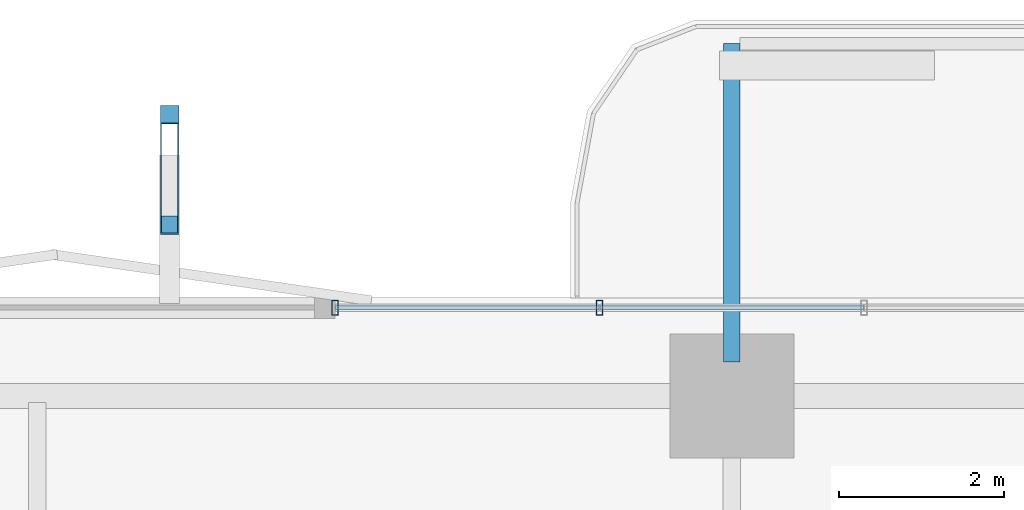
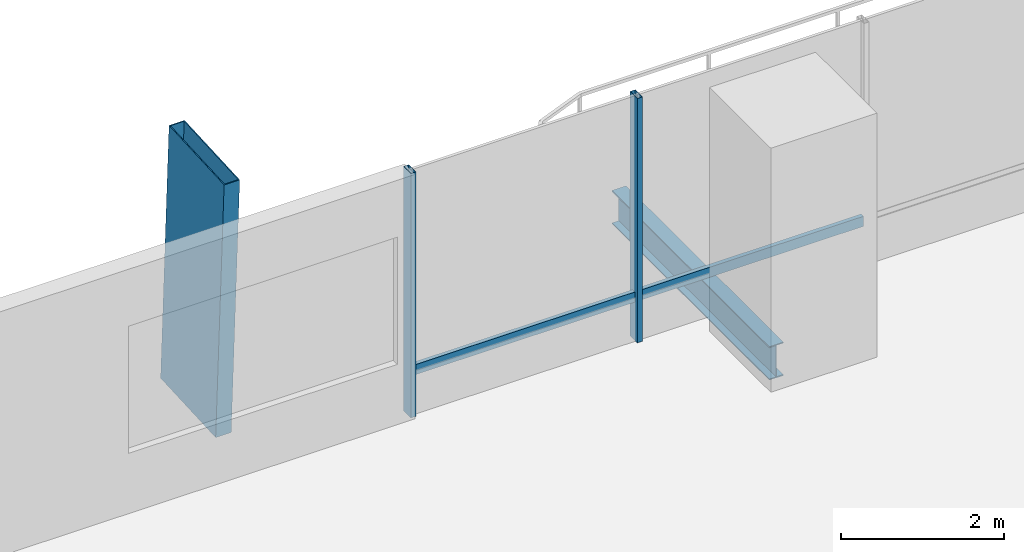
# One storey, part 11 of 23: 5 members, 1 beam, 1 element without a shape of its own.
"""IFC4 building model written with IfcOpenShell, lengths in metres."""

from ifc_helpers import new_model, si_unit, direction, frame, origin, origin_2d, place, context, subcontext, project, spatial, hollow_rectangle, i_section, extrude, material, layer, layer_set, material_profile, profile_set, type_object, element, aggregate, save


model = new_model("IFC4")

# Units and contexts
model_context = context("Model", 3, precision=1e-05, world=origin(), true_north=direction((0.0, 1.0)))
body_context = subcontext(model_context, "Body", "Model", "MODEL_VIEW")
ifc_project = project(units=[si_unit("LENGTHUNIT", "METRE"), si_unit("AREAUNIT", "SQUARE_METRE"), si_unit("VOLUMEUNIT", "CUBIC_METRE"), si_unit("PLANEANGLEUNIT", "RADIAN"), si_unit("MASSUNIT", "GRAM", prefix="KILO")], contexts=[model_context])

# Site, building, storey
site_placement = place(None, origin())
site = spatial("IfcSite", under=ifc_project, at=site_placement, CompositionType="ELEMENT")
building_placement = place(site_placement, origin())
building = spatial("IfcBuilding", under=site, at=building_placement, Name="Belovzor Exchange Tower", CompositionType="ELEMENT")
storey_placement = place(building_placement, frame((0.0, 0.0, 65.10009765625)))
storey = spatial("IfcBuildingStorey", under=building, at=storey_placement, Name="L15", CompositionType="ELEMENT", Elevation=65.10009765625)

# Member
ifc_material_1 = material(Name="Extruded Architectural Terracotta on Steel S355 Carrier", Category="masonry")
ifc_material_profile_1 = material_profile(ifc_material_1, hollow_rectangle(XDim=0.219970703125, YDim=1.35009765625, WallThickness=0.013916015625, at=origin_2d()))
ifc_profile_set_1 = profile_set([ifc_material_profile_1], Name="Extruded Architectural Terracotta on Steel S355 Carrier")
member_type_1 = type_object("IfcMemberType", Name="Base Arc Sweeping Terracotta Pylon Fin 1450", PredefinedType="USERDEFINED", material=ifc_profile_set_1)
member_1_placement = place(storey_placement, frame((22.0, 58.339111328125, -0.25), z_axis=(0.0, -0.053011620344, 0.998593895489), x_axis=(1.0, 0.0, 0.0)))
element("IfcMember", 1, at=member_1_placement, inside=storey, type_object=member_type_1, Name="FIN-TC145 Terracotta Facade Fin L15 N2", ObjectType="FIN", PredefinedType="USERDEFINED", context=body_context, shape_type="SweptSolid", body=[
    extrude(hollow_rectangle(XDim=0.219970703125, YDim=1.35009765625, WallThickness=0.013916015625, at=origin_2d()), origin(), (0.0, 0.0, 1.0), 3.9052734375),
])

# Beam
ifc_material_2 = material(Name="Steel S355", Category="steel")
ifc_material_profile_2 = material_profile(ifc_material_2, i_section(OverallWidth=0.199951171875, OverallDepth=0.5, WebThickness=0.01025390625, FlangeThickness=0.01611328125, at=origin_2d()))
ifc_profile_set_2 = profile_set([ifc_material_profile_2], Name="Steel S355")
beam_type = type_object("IfcBeamType", Name="Planted Balcony Cantilever Beam IPE 500", PredefinedType="BEAM", material=ifc_profile_set_2)
beam_placement = place(storey_placement, frame((28.800048828125, 55.9130859375, -0.5), z_axis=(0.0, 1.0, 0.0), x_axis=(-1.0, 0.0, 0.0)))
element("IfcBeam", 2, at=beam_placement, inside=storey, type_object=beam_type, Name="BC-500 Planted Balcony Cantilever Beam IPE 500", PredefinedType="BEAM", context=body_context, shape_type="SweptSolid", body=[
    extrude(i_section(OverallWidth=0.199951171875, OverallDepth=0.5, WebThickness=0.01025390625, FlangeThickness=0.01611328125, at=origin_2d()), origin(), (0.0, 0.0, 1.0), 3.849853515625),
])

# Curtain wall, members
ifc_material_3 = material(Name="Anodised Aluminium Framing", Category="aluminium")
ifc_layer = layer(ifc_material_3, 0.179931640625)
ifc_layer_set = layer_set([ifc_layer], Name="Anodised Aluminium Framing")
curtain_wall_type = type_object("IfcCurtainWallType", Name="Recessed Loggia Low-Iron Triple-Glazed Curtain Wall", PredefinedType="NOTDEFINED", material=ifc_layer_set)
curtain_wall_placement = place(storey_placement, origin())
curtain_wall = element("IfcCurtainWall", 3, at=curtain_wall_placement, inside=storey, type_object=curtain_wall_type, Name="CW3 Recessed Loggia Low-Iron Triple-Glazed Curtain Wall L15", PredefinedType="NOTDEFINED")
ifc_material_4 = material(Name="Steel S355", Category="steel")
ifc_material_profile_3 = material_profile(ifc_material_4, hollow_rectangle(XDim=0.074951171875, YDim=0.179931640625, WallThickness=0.0048828125, at=origin_2d()))
ifc_profile_set_3 = profile_set([ifc_material_profile_3], Name="Steel S355")
member_type_2 = type_object("IfcMemberType", Name="Thermally Broken Curtain Wall Mullion 180x75", PredefinedType="MULLION", material=ifc_profile_set_3)
member_2_placement = place(storey_placement, frame((24.0, 56.570068359375, 0.0), z_axis=(0.0, 0.0, 1.0), x_axis=(1.0, 0.0, 0.0)))
member_2 = element("IfcMember", 4, at=member_2_placement, type_object=member_type_2, Name="CW-M180 Curtain Wall Mullion 1", PredefinedType="MULLION", context=body_context, shape_type="SweptSolid", body=[
    extrude(hollow_rectangle(XDim=0.074951171875, YDim=0.179931640625, WallThickness=0.0048828125, at=origin_2d()), origin(), (0.0, 0.0, 1.0), 3.64990234375),
])
member_3_placement = place(storey_placement, frame((27.199951171875, 56.570068359375, 0.0), z_axis=(0.0, 0.0, 1.0), x_axis=(1.0, 0.0, 0.0)))
member_3 = element("IfcMember", 5, at=member_3_placement, type_object=member_type_2, Name="CW-M180 Curtain Wall Mullion 2", PredefinedType="MULLION", context=body_context, shape_type="SweptSolid", body=[
    extrude(hollow_rectangle(XDim=0.074951171875, YDim=0.179931640625, WallThickness=0.0048828125, at=origin_2d()), origin(), (0.0, 0.0, 1.0), 3.64990234375),
])
ifc_material_5 = material(Name="Steel S355", Category="steel")
ifc_material_profile_4 = material_profile(ifc_material_5, hollow_rectangle(XDim=0.06005859375, YDim=0.14990234375, WallThickness=0.00390625, at=origin_2d()))
ifc_profile_set_4 = profile_set([ifc_material_profile_4], Name="Steel S355")
member_type_3 = type_object("IfcMemberType", Name="Thermally Broken Curtain Wall Transom 150x60", PredefinedType="USERDEFINED", material=ifc_profile_set_4)
member_4_placement = place(storey_placement, frame((24.008056640625, 56.570068359375, 0.64990234375), z_axis=(1.0, 0.0, 0.0), x_axis=(0.0, 1.0, 0.0)))
member_4 = element("IfcMember", 6, at=member_4_placement, type_object=member_type_3, Name="CW-T150 Curtain Wall Transom 1", ObjectType="TRANSOM", PredefinedType="USERDEFINED", context=body_context, shape_type="SweptSolid", body=[
    extrude(hollow_rectangle(XDim=0.06005859375, YDim=0.14990234375, WallThickness=0.00390625, at=origin_2d()), origin(), (0.0, 0.0, 1.0), 3.183837890625),
])
member_5_placement = place(storey_placement, frame((27.2080078125, 56.570068359375, 0.64990234375), z_axis=(1.0, 0.0, 0.0), x_axis=(0.0, 1.0, 0.0)))
member_5 = element("IfcMember", 7, at=member_5_placement, type_object=member_type_3, Name="CW-T150 Curtain Wall Transom 2", ObjectType="TRANSOM", PredefinedType="USERDEFINED", context=body_context, shape_type="SweptSolid", body=[
    extrude(hollow_rectangle(XDim=0.06005859375, YDim=0.14990234375, WallThickness=0.00390625, at=origin_2d()), origin(), (0.0, 0.0, 1.0), 3.18408203125),
])
aggregate(curtain_wall, [member_2, member_3, member_4, member_5])

save(model, "model.ifc")
